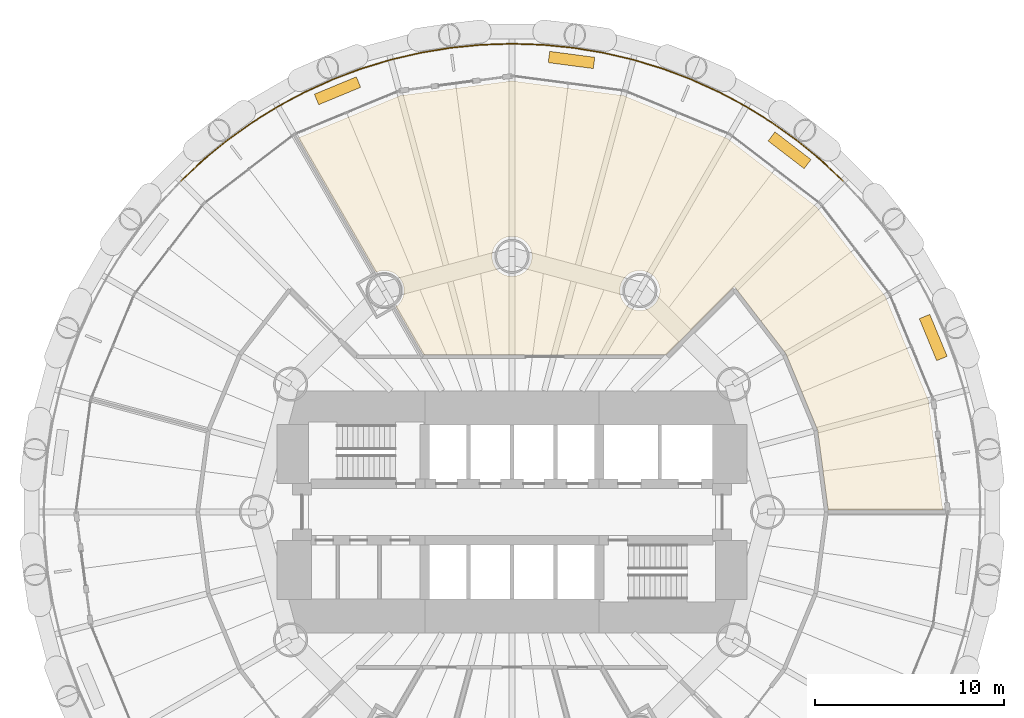
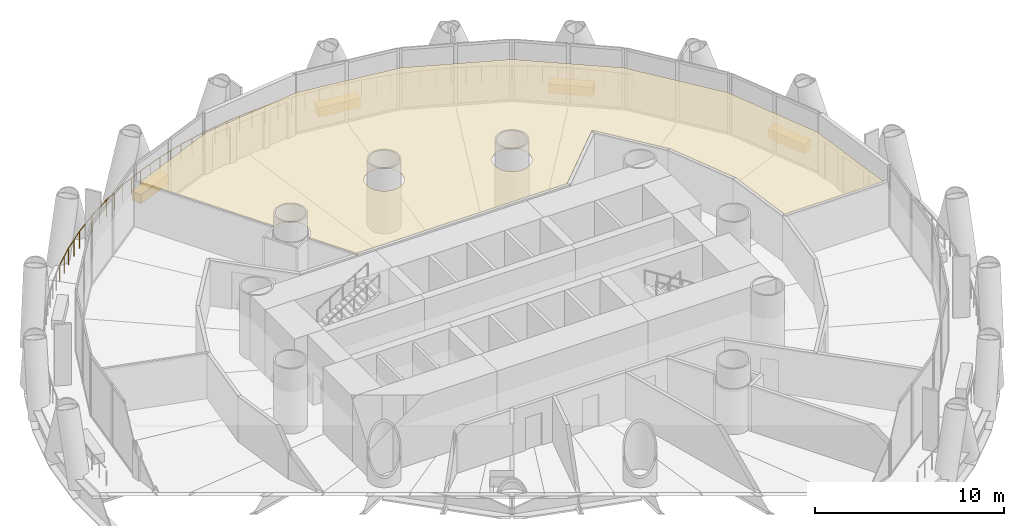
# One storey, part 15 of 15: 5 coverings, 1 railing.
"""IFC4 building model written with IfcOpenShell, lengths in metres."""

import ifcopenshell
import ifcopenshell.guid

model = None  # the IFC model being written
_history = None  # IfcOwnerHistory: only IFC2X3 demands one
_inside = {}  # id of a spatial element -> (the spatial element, [elements in it])
_under = {}  # id of a project, library or spatial element -> (it, [spatial elements below it])
_declared = {}  # id of a project -> (the project, [libraries it declares])
_typed = {}  # id of a type object -> (the type object, [elements of that type])
_made_of = {}  # id of a material, layer set ... -> (it, [elements and type objects made of it])


def new_model(schema):
    """Start an empty IFC model of exactly this schema.

    Asked for "IFC4X3", IfcOpenShell would pick the latest addendum, in which some entities
    have other attributes; the version numbers below select the first issue.
    IFC2X3 requires an IfcOwnerHistory on every rooted entity: one is made here for all.
    """
    global model, _history
    if schema == "IFC4X3":
        model = ifcopenshell.file(schema_version=(4, 3, 0, 0))
    else:
        model = ifcopenshell.file(schema=schema)
    _inside.clear()
    _under.clear()
    _declared.clear()
    _typed.clear()
    _made_of.clear()
    _history = None
    if model.schema == "IFC2X3":
        org = make("IfcOrganization", Name="unknown")
        user = make(
            "IfcPersonAndOrganization",
            ThePerson=make("IfcPerson", FamilyName="unknown"),
            TheOrganization=org,
        )
        app = make(
            "IfcApplication",
            ApplicationDeveloper=org,
            Version="unknown",
            ApplicationFullName="unknown",
            ApplicationIdentifier="unknown",
        )
        _history = make(
            "IfcOwnerHistory",
            OwningUser=user,
            OwningApplication=app,
            ChangeAction="ADDED",
            CreationDate=0,
        )
    return model


def make(cls, **values):
    """One entity of the class cls with the attributes given. An attribute that is None is left unset."""
    return model.create_entity(
        cls, **{name: value for name, value in values.items() if value is not None}
    )


def rooted(cls, **values):
    """An entity with a GlobalId (a new one), such as an element, a storey or a relation."""
    return make(cls, GlobalId=ifcopenshell.guid.new(), OwnerHistory=_history, **values)


def si_unit(unit_type, name, prefix=None):
    """IfcSIUnit, for example si_unit("LENGTHUNIT", "METRE", prefix="MILLI")."""
    return make("IfcSIUnit", UnitType=unit_type, Prefix=prefix, Name=name)


def assignment(units):
    """IfcUnitAssignment: the units of a project."""
    return None if units is None else make("IfcUnitAssignment", Units=units)


def point(xyz):
    """IfcCartesianPoint."""
    return None if xyz is None else make("IfcCartesianPoint", Coordinates=xyz)


def direction(xyz):
    """IfcDirection."""
    return None if xyz is None else make("IfcDirection", DirectionRatios=xyz)


def frame(location, z_axis=None, x_axis=None):
    """IfcAxis2Placement3D, a coordinate frame: its origin and axes. An axis left out is left unset."""
    return make(
        "IfcAxis2Placement3D",
        Location=point(location),
        Axis=direction(z_axis),
        RefDirection=direction(x_axis),
    )


def frame_2d(location, x_axis=None):
    """IfcAxis2Placement2D, a coordinate frame in the plane: its origin and x axis."""
    return make(
        "IfcAxis2Placement2D", Location=point(location), RefDirection=direction(x_axis)
    )


def origin():
    """The frame at (0, 0, 0) with its axes left unset."""
    return frame((0.0, 0.0, 0.0))


def origin_2d():
    """The frame at (0, 0) in the plane with its x axis left unset."""
    return frame_2d((0.0, 0.0))


def place(relative_to, where):
    """IfcLocalPlacement: puts the frame where relative to a parent placement (None: the world)."""
    return make(
        "IfcLocalPlacement", PlacementRelTo=relative_to, RelativePlacement=where
    )


def context(
    kind, dimensions, precision=None, world=None, true_north=None, identifier=None
):
    """IfcGeometricRepresentationContext, for example the 3D "Model" context."""
    return make(
        "IfcGeometricRepresentationContext",
        ContextIdentifier=identifier,
        ContextType=kind,
        CoordinateSpaceDimension=dimensions,
        Precision=precision,
        WorldCoordinateSystem=world,
        TrueNorth=true_north,
    )


def subcontext(parent, identifier, kind, view, scale=None):
    """IfcGeometricRepresentationSubContext, for example "Body" below "Model"."""
    return make(
        "IfcGeometricRepresentationSubContext",
        ContextIdentifier=identifier,
        ContextType=kind,
        ParentContext=parent,
        TargetScale=scale,
        TargetView=view,
    )


def project(units=None, contexts=None):
    """IfcProject with its units and contexts."""
    return rooted(
        "IfcProject",
        Name="project",
        RepresentationContexts=contexts,
        UnitsInContext=assignment(units),
    )


def spatial(cls, under=None, at=None, **own):
    """A site, building, storey or space (cls), placed at a placement, below another one or the project."""
    s = rooted(cls, ObjectPlacement=at, **own)
    if under is not None:
        _under.setdefault(under.id(), (under, []))[1].append(s)
    return s


def polyline(points):
    """IfcPolyline through the points."""
    return make("IfcPolyline", Points=[point(p) for p in points])


def profile(cls, at=None, kind="AREA", **sizes):
    """A parametric profile (cls). Its sizes go by their IFC names, for example OverallWidth=200.0."""
    return make(cls, ProfileType=kind, Position=at, **sizes)


def rectangle(**sizes):
    """IfcRectangleProfileDef."""
    return profile("IfcRectangleProfileDef", **sizes)


def circle(**sizes):
    """IfcCircleProfileDef."""
    return profile("IfcCircleProfileDef", **sizes)


def outline(outer, holes=None, kind="AREA"):
    """IfcArbitraryClosedProfileDef: a profile drawn as a closed curve; with holes, ...WithVoids."""
    if holes is None:
        return make("IfcArbitraryClosedProfileDef", ProfileType=kind, OuterCurve=outer)
    return make(
        "IfcArbitraryProfileDefWithVoids",
        ProfileType=kind,
        OuterCurve=outer,
        InnerCurves=holes,
    )


def extrude(swept, where, along, depth):
    """IfcExtrudedAreaSolid: the profile swept, set in the frame where, extruded along a direction by depth."""
    return make(
        "IfcExtrudedAreaSolid",
        SweptArea=swept,
        Position=where,
        ExtrudedDirection=direction(along),
        Depth=depth,
    )


def shape(context_of_items, identifier, shape_type, items):
    """IfcShapeRepresentation: the items that make up one representation, for example the "Body"."""
    return make(
        "IfcShapeRepresentation",
        ContextOfItems=context_of_items,
        RepresentationIdentifier=identifier,
        RepresentationType=shape_type,
        Items=items,
    )


def material(Name=None, Category=None):
    """IfcMaterial."""
    return make("IfcMaterial", Name=Name, Category=Category)


def layer(
    of_material, thickness, ventilated=None, Name=None, Category=None, Priority=None
):
    """IfcMaterialLayer: one layer of a wall or slab, of a material (None: an air gap)."""
    return make(
        "IfcMaterialLayer",
        Material=of_material,
        LayerThickness=thickness,
        IsVentilated=ventilated,
        Name=Name,
        Category=Category,
        Priority=Priority,
    )


def layer_set(layers, Name=None):
    """IfcMaterialLayerSet."""
    return make("IfcMaterialLayerSet", MaterialLayers=layers, LayerSetName=Name)


def made_of(thing, what):
    """Note that an element or type object is made of a material, layer set ...; save() writes the relation."""
    if what is not None:
        _made_of.setdefault(what.id(), (what, []))[1].append(thing)
    return thing


def type_object(cls, material=None, **own):
    """A type object (cls), such as IfcWallType, which elements share."""
    return made_of(rooted(cls, **own), material)


def element(
    cls,
    number,
    at=None,
    inside=None,
    cuts=None,
    type_object=None,
    material=None,
    context=None,
    identifier="Body",
    shape_type=None,
    held_by="IfcProductDefinitionShape",
    body=None,
    shapes=None,
    **own,
):
    """One element of the class cls, such as IfcWall. Its Tag is "e" and its number.

    at: its placement. inside: the storey or other place that contains it. cuts: it is an
    opening in that element (IfcRelVoidsElement). A single representation is given by context,
    identifier, shape_type and body (its items); several are given by shapes. held_by: the class
    of the entity that holds the representations. save() writes the other relations.
    """
    e = rooted(cls, Tag="e%d" % number, ObjectPlacement=at, **own)
    if body is not None:
        shapes = [shape(context, identifier, shape_type, body)]
    if shapes is not None:
        e.Representation = make(held_by, Representations=shapes)
    if inside is not None:
        _inside.setdefault(inside.id(), (inside, []))[1].append(e)
    if cuts is not None:
        rooted(
            "IfcRelVoidsElement", RelatingBuildingElement=cuts, RelatedOpeningElement=e
        )
    if type_object is not None:
        _typed.setdefault(type_object.id(), (type_object, []))[1].append(e)
    return made_of(e, material)


def aggregate(whole, parts):
    """IfcRelAggregates: a whole, such as a stair, and the parts it consists of."""
    return rooted("IfcRelAggregates", RelatingObject=whole, RelatedObjects=parts)


def save(model, path):
    """Write the relations noted so far, then the file.

    IfcRelAggregates (storeys below a building ...), IfcRelContainedInSpatialStructure (elements
    in a storey), IfcRelDefinesByType, IfcRelAssociatesMaterial and IfcRelDeclares: one each for
    every whole, place, type object, material and project.
    """
    for whole, parts in _under.values():
        aggregate(whole, parts)
    for where, things in _inside.values():
        rooted(
            "IfcRelContainedInSpatialStructure",
            RelatedElements=things,
            RelatingStructure=where,
        )
    for kind, things in _typed.values():
        rooted("IfcRelDefinesByType", RelatedObjects=things, RelatingType=kind)
    for what, things in _made_of.values():
        rooted("IfcRelAssociatesMaterial", RelatedObjects=things, RelatingMaterial=what)
    for by, libraries in _declared.values():
        rooted("IfcRelDeclares", RelatingContext=by, RelatedDefinitions=libraries)
    model.write(path)


model = new_model("IFC4")

# Units and contexts
model_context = context("Model", 3, precision=1e-05, world=origin(), true_north=direction((0.0, 1.0)))
body_context = subcontext(model_context, "Body", "Model", "MODEL_VIEW")
ifc_project = project(units=[si_unit("LENGTHUNIT", "METRE"), si_unit("AREAUNIT", "SQUARE_METRE"), si_unit("VOLUMEUNIT", "CUBIC_METRE"), si_unit("PLANEANGLEUNIT", "RADIAN"), si_unit("MASSUNIT", "GRAM", prefix="KILO")], contexts=[model_context])

# Site, building, storey
site_placement = place(None, origin())
site = spatial("IfcSite", under=ifc_project, at=site_placement, CompositionType="ELEMENT")
building_placement = place(site_placement, origin())
building = spatial("IfcBuilding", under=site, at=building_placement, Name="Qaws Media Tower", CompositionType="ELEMENT")
storey_placement = place(building_placement, frame((0.0, 0.0, 97.39990234375)))
storey = spatial("IfcBuildingStorey", under=building, at=storey_placement, Name="L21", CompositionType="ELEMENT", Elevation=97.39990234375)

# Railing
ifc_material_1 = material(Name="Stainless steel and glass guard", Category="steel")
railing_type = type_object("IfcRailingType", Name="Balcony guard 1100", PredefinedType="GUARDRAIL", material=ifc_material_1)
railing_placement = place(storey_placement, frame((77.483154296875, 67.483154296875, 0.0)))
element("IfcRailing", 1, at=railing_placement, inside=storey, type_object=railing_type, Name="GR1 balcony guard L21-1", PredefinedType="GUARDRAIL", context=body_context, shape_type="SweptSolid", body=[
    extrude(circle(Radius=0.02392578125, at=origin_2d()), frame((0.0, 0.0, 1.076171875), z_axis=(-0.729814753813, 0.683644955453, 0.0), x_axis=(-0.683644955453, -0.729814753813, 0.0)), (0.0, 0.0, 1.0), 1.6181640625),
    extrude(circle(Radius=0.02392578125, at=origin_2d()), frame((-1.180908203125, 1.106201171875, 1.076171875), z_axis=(-0.773035422992, 0.634362857361, 0.0), x_axis=(-0.634362857361, -0.773035422992, 0.0)), (0.0, 0.0, 1.0), 1.617919921875),
    extrude(circle(Radius=0.02392578125, at=origin_2d()), frame((-2.431640625, 2.132568359375, 1.076171875), z_axis=(-0.812814745759, 0.582522264877, 0.0), x_axis=(-0.582522264877, -0.812814745759, 0.0)), (0.0, 0.0, 1.0), 1.61767578125),
    extrude(circle(Radius=0.02392578125, at=origin_2d()), frame((-3.74658203125, 3.074951171875, 1.076171875), z_axis=(-0.84918291713, 0.528098829061, 0.0), x_axis=(-0.528098829061, -0.84918291713, 0.0)), (0.0, 0.0, 1.0), 1.6181640625),
    extrude(circle(Radius=0.02392578125, at=origin_2d()), frame((-5.12060546875, 3.929443359375, 1.076171875), z_axis=(-0.88193491316, 0.471371200806, 0.0), x_axis=(-0.471371200806, -0.88193491316, 0.0)), (0.0, 0.0, 1.0), 1.617919921875),
    extrude(circle(Radius=0.02392578125, at=origin_2d()), frame((-6.547607421875, 4.692138671875, 1.076171875), z_axis=(-0.91085679165, 0.412722552214, 0.0), x_axis=(-0.412722552214, -0.91085679165, 0.0)), (0.0, 0.0, 1.0), 1.617919921875),
    extrude(circle(Radius=0.02392578125, at=origin_2d()), frame((-8.021240234375, 5.35986328125, 1.076171875), z_axis=(-0.935937951322, 0.352164948958, 0.0), x_axis=(-0.352164948958, -0.935937951322, 0.0)), (0.0, 0.0, 1.0), 1.6181640625),
    extrude(circle(Radius=0.02392578125, at=origin_2d()), frame((-9.53564453125, 5.9296875, 1.076171875), z_axis=(-0.956920266949, 0.290350826937, 0.0), x_axis=(-0.290350826937, -0.956920266949, 0.0)), (0.0, 0.0, 1.0), 1.61767578125),
    extrude(circle(Radius=0.02392578125, at=origin_2d()), frame((-11.083740234375, 6.3994140625, 1.076171875), z_axis=(-0.973880145585, 0.227062683053, 0.0), x_axis=(-0.227062683053, -0.973880145585, 0.0)), (0.0, 0.0, 1.0), 1.6181640625),
    extrude(circle(Radius=0.02392578125, at=origin_2d()), frame((-12.65966796875, 6.766845703125, 1.076171875), z_axis=(-0.986653715018, 0.162832572423, 0.0), x_axis=(-0.162832572423, -0.986653715018, 0.0)), (0.0, 0.0, 1.0), 1.61767578125),
    extrude(circle(Radius=0.02392578125, at=origin_2d()), frame((-14.255859375, 7.0302734375, 1.076171875), z_axis=(-0.995178112504, 0.098084271892, 0.0), x_axis=(-0.098084271892, -0.995178112504, 0.0)), (0.0, 0.0, 1.0), 1.617919921875),
    extrude(circle(Radius=0.02392578125, at=origin_2d()), frame((-15.865966796875, 7.18896484375, 1.076171875), z_axis=(-0.999463833798, 0.032742097212, 0.0), x_axis=(-0.032742097212, -0.999463833798, 0.0)), (0.0, 0.0, 1.0), 1.6181640625),
    extrude(circle(Radius=0.02392578125, at=origin_2d()), frame((-17.483154296875, 7.241943359375, 1.076171875), z_axis=(-0.999463833798, -0.032742097212, 0.0), x_axis=(0.032742097212, -0.999463833798, 0.0)), (0.0, 0.0, 1.0), 1.6181640625),
    extrude(circle(Radius=0.02392578125, at=origin_2d()), frame((-19.100341796875, 7.18896484375, 1.076171875), z_axis=(-0.995178112504, -0.098084271892, 0.0), x_axis=(0.098084271892, -0.995178112504, 0.0)), (0.0, 0.0, 1.0), 1.617919921875),
    extrude(circle(Radius=0.02392578125, at=origin_2d()), frame((-20.71044921875, 7.0302734375, 1.076171875), z_axis=(-0.986653715018, -0.162832572423, 0.0), x_axis=(0.162832572423, -0.986653715018, 0.0)), (0.0, 0.0, 1.0), 1.61767578125),
    extrude(circle(Radius=0.02392578125, at=origin_2d()), frame((-22.306640625, 6.766845703125, 1.076171875), z_axis=(-0.973880145585, -0.227062683053, 0.0), x_axis=(0.227062683053, -0.973880145585, 0.0)), (0.0, 0.0, 1.0), 1.6181640625),
    extrude(circle(Radius=0.02392578125, at=origin_2d()), frame((-23.882568359375, 6.3994140625, 1.076171875), z_axis=(-0.956920266949, -0.290350826937, 0.0), x_axis=(0.290350826937, -0.956920266949, 0.0)), (0.0, 0.0, 1.0), 1.61767578125),
    extrude(circle(Radius=0.02392578125, at=origin_2d()), frame((-25.4306640625, 5.9296875, 1.076171875), z_axis=(-0.935937951322, -0.352164948958, 0.0), x_axis=(0.352164948958, -0.935937951322, 0.0)), (0.0, 0.0, 1.0), 1.6181640625),
    extrude(circle(Radius=0.02392578125, at=origin_2d()), frame((-26.945068359375, 5.35986328125, 1.076171875), z_axis=(-0.91085679165, -0.412722552214, 0.0), x_axis=(0.412722552214, -0.91085679165, 0.0)), (0.0, 0.0, 1.0), 1.617919921875),
    extrude(circle(Radius=0.02392578125, at=origin_2d()), frame((-28.418701171875, 4.692138671875, 1.076171875), z_axis=(-0.88193491316, -0.471371200806, 0.0), x_axis=(0.471371200806, -0.88193491316, 0.0)), (0.0, 0.0, 1.0), 1.617919921875),
    extrude(circle(Radius=0.02392578125, at=origin_2d()), frame((-29.845703125, 3.929443359375, 1.076171875), z_axis=(-0.84918291713, -0.528098829061, 0.0), x_axis=(0.528098829061, -0.84918291713, 0.0)), (0.0, 0.0, 1.0), 1.6181640625),
    extrude(circle(Radius=0.02392578125, at=origin_2d()), frame((-31.2197265625, 3.074951171875, 1.076171875), z_axis=(-0.812814745759, -0.582522264877, 0.0), x_axis=(0.582522264877, -0.812814745759, 0.0)), (0.0, 0.0, 1.0), 1.61767578125),
    extrude(circle(Radius=0.02392578125, at=origin_2d()), frame((-32.53466796875, 2.132568359375, 1.076171875), z_axis=(-0.773035422992, -0.634362857361, 0.0), x_axis=(0.634362857361, -0.773035422992, 0.0)), (0.0, 0.0, 1.0), 1.617919921875),
    extrude(circle(Radius=0.02392578125, at=origin_2d()), frame((-33.785400390625, 1.106201171875, 1.076171875), z_axis=(-0.729814753813, -0.683644955453, 0.0), x_axis=(0.683644955453, -0.729814753813, 0.0)), (0.0, 0.0, 1.0), 1.6181640625),
    extrude(circle(Radius=0.02099609375, at=origin_2d()), origin(), (0.0, 0.0, 1.0), 1.052001953125),
    extrude(circle(Radius=0.02099609375, at=origin_2d()), frame((-0.59033203125, 0.55322265625, 0.0)), (0.0, 0.0, 1.0), 1.052001953125),
    extrude(circle(Radius=0.02099609375, at=origin_2d()), frame((-1.180908203125, 1.106201171875, 0.0)), (0.0, 0.0, 1.0), 1.052001953125),
    extrude(circle(Radius=0.02099609375, at=origin_2d()), frame((-1.80615234375, 1.619384765625, 0.0)), (0.0, 0.0, 1.0), 1.052001953125),
    extrude(circle(Radius=0.02099609375, at=origin_2d()), frame((-2.431640625, 2.132568359375, 0.0)), (0.0, 0.0, 1.0), 1.052001953125),
    extrude(circle(Radius=0.02099609375, at=origin_2d()), frame((-3.089111328125, 2.603759765625, 0.0)), (0.0, 0.0, 1.0), 1.052001953125),
    extrude(circle(Radius=0.02099609375, at=origin_2d()), frame((-3.74658203125, 3.074951171875, 0.0)), (0.0, 0.0, 1.0), 1.052001953125),
    extrude(circle(Radius=0.02099609375, at=origin_2d()), frame((-4.43359375, 3.502197265625, 0.0)), (0.0, 0.0, 1.0), 1.052001953125),
    extrude(circle(Radius=0.02099609375, at=origin_2d()), frame((-5.12060546875, 3.929443359375, 0.0)), (0.0, 0.0, 1.0), 1.052001953125),
    extrude(circle(Radius=0.02099609375, at=origin_2d()), frame((-5.833984375, 4.310791015625, 0.0)), (0.0, 0.0, 1.0), 1.052001953125),
    extrude(circle(Radius=0.02099609375, at=origin_2d()), frame((-6.547607421875, 4.692138671875, 0.0)), (0.0, 0.0, 1.0), 1.052001953125),
    extrude(circle(Radius=0.02099609375, at=origin_2d()), frame((-7.284423828125, 5.02587890625, 0.0)), (0.0, 0.0, 1.0), 1.052001953125),
    extrude(circle(Radius=0.02099609375, at=origin_2d()), frame((-8.021240234375, 5.35986328125, 0.0)), (0.0, 0.0, 1.0), 1.052001953125),
    extrude(circle(Radius=0.02099609375, at=origin_2d()), frame((-8.7783203125, 5.644775390625, 0.0)), (0.0, 0.0, 1.0), 1.052001953125),
    extrude(circle(Radius=0.02099609375, at=origin_2d()), frame((-9.53564453125, 5.9296875, 0.0)), (0.0, 0.0, 1.0), 1.052001953125),
    extrude(circle(Radius=0.02099609375, at=origin_2d()), frame((-10.3095703125, 6.16455078125, 0.0)), (0.0, 0.0, 1.0), 1.052001953125),
    extrude(circle(Radius=0.02099609375, at=origin_2d()), frame((-11.083740234375, 6.3994140625, 0.0)), (0.0, 0.0, 1.0), 1.052001953125),
    extrude(circle(Radius=0.02099609375, at=origin_2d()), frame((-11.87158203125, 6.5830078125, 0.0)), (0.0, 0.0, 1.0), 1.052001953125),
    extrude(circle(Radius=0.02099609375, at=origin_2d()), frame((-12.65966796875, 6.766845703125, 0.0)), (0.0, 0.0, 1.0), 1.052001953125),
    extrude(circle(Radius=0.02099609375, at=origin_2d()), frame((-13.457763671875, 6.8984375, 0.0)), (0.0, 0.0, 1.0), 1.052001953125),
    extrude(circle(Radius=0.02099609375, at=origin_2d()), frame((-14.255859375, 7.0302734375, 0.0)), (0.0, 0.0, 1.0), 1.052001953125),
    extrude(circle(Radius=0.02099609375, at=origin_2d()), frame((-15.06103515625, 7.109619140625, 0.0)), (0.0, 0.0, 1.0), 1.052001953125),
    extrude(circle(Radius=0.02099609375, at=origin_2d()), frame((-15.865966796875, 7.18896484375, 0.0)), (0.0, 0.0, 1.0), 1.052001953125),
    extrude(circle(Radius=0.02099609375, at=origin_2d()), frame((-16.674560546875, 7.21533203125, 0.0)), (0.0, 0.0, 1.0), 1.052001953125),
    extrude(circle(Radius=0.02099609375, at=origin_2d()), frame((-17.483154296875, 7.241943359375, 0.0)), (0.0, 0.0, 1.0), 1.052001953125),
    extrude(circle(Radius=0.02099609375, at=origin_2d()), frame((-18.291748046875, 7.21533203125, 0.0)), (0.0, 0.0, 1.0), 1.052001953125),
    extrude(circle(Radius=0.02099609375, at=origin_2d()), frame((-19.100341796875, 7.18896484375, 0.0)), (0.0, 0.0, 1.0), 1.052001953125),
    extrude(circle(Radius=0.02099609375, at=origin_2d()), frame((-19.9052734375, 7.109619140625, 0.0)), (0.0, 0.0, 1.0), 1.052001953125),
    extrude(circle(Radius=0.02099609375, at=origin_2d()), frame((-20.71044921875, 7.0302734375, 0.0)), (0.0, 0.0, 1.0), 1.052001953125),
    extrude(circle(Radius=0.02099609375, at=origin_2d()), frame((-21.508544921875, 6.8984375, 0.0)), (0.0, 0.0, 1.0), 1.052001953125),
    extrude(circle(Radius=0.02099609375, at=origin_2d()), frame((-22.306640625, 6.766845703125, 0.0)), (0.0, 0.0, 1.0), 1.052001953125),
    extrude(circle(Radius=0.02099609375, at=origin_2d()), frame((-23.0947265625, 6.5830078125, 0.0)), (0.0, 0.0, 1.0), 1.052001953125),
    extrude(circle(Radius=0.02099609375, at=origin_2d()), frame((-23.882568359375, 6.3994140625, 0.0)), (0.0, 0.0, 1.0), 1.052001953125),
    extrude(circle(Radius=0.02099609375, at=origin_2d()), frame((-24.65673828125, 6.16455078125, 0.0)), (0.0, 0.0, 1.0), 1.052001953125),
    extrude(circle(Radius=0.02099609375, at=origin_2d()), frame((-25.4306640625, 5.9296875, 0.0)), (0.0, 0.0, 1.0), 1.052001953125),
    extrude(circle(Radius=0.02099609375, at=origin_2d()), frame((-26.18798828125, 5.644775390625, 0.0)), (0.0, 0.0, 1.0), 1.052001953125),
    extrude(circle(Radius=0.02099609375, at=origin_2d()), frame((-26.945068359375, 5.35986328125, 0.0)), (0.0, 0.0, 1.0), 1.052001953125),
    extrude(circle(Radius=0.02099609375, at=origin_2d()), frame((-27.681884765625, 5.02587890625, 0.0)), (0.0, 0.0, 1.0), 1.052001953125),
    extrude(circle(Radius=0.02099609375, at=origin_2d()), frame((-28.418701171875, 4.692138671875, 0.0)), (0.0, 0.0, 1.0), 1.052001953125),
    extrude(circle(Radius=0.02099609375, at=origin_2d()), frame((-29.13232421875, 4.310791015625, 0.0)), (0.0, 0.0, 1.0), 1.052001953125),
    extrude(circle(Radius=0.02099609375, at=origin_2d()), frame((-29.845703125, 3.929443359375, 0.0)), (0.0, 0.0, 1.0), 1.052001953125),
    extrude(circle(Radius=0.02099609375, at=origin_2d()), frame((-30.53271484375, 3.502197265625, 0.0)), (0.0, 0.0, 1.0), 1.052001953125),
    extrude(circle(Radius=0.02099609375, at=origin_2d()), frame((-31.2197265625, 3.074951171875, 0.0)), (0.0, 0.0, 1.0), 1.052001953125),
    extrude(circle(Radius=0.02099609375, at=origin_2d()), frame((-31.877197265625, 2.603759765625, 0.0)), (0.0, 0.0, 1.0), 1.052001953125),
    extrude(circle(Radius=0.02099609375, at=origin_2d()), frame((-32.53466796875, 2.132568359375, 0.0)), (0.0, 0.0, 1.0), 1.052001953125),
    extrude(circle(Radius=0.02099609375, at=origin_2d()), frame((-33.16015625, 1.619384765625, 0.0)), (0.0, 0.0, 1.0), 1.052001953125),
    extrude(circle(Radius=0.02099609375, at=origin_2d()), frame((-33.785400390625, 1.106201171875, 0.0)), (0.0, 0.0, 1.0), 1.052001953125),
    extrude(circle(Radius=0.02099609375, at=origin_2d()), frame((-34.3759765625, 0.55322265625, 0.0)), (0.0, 0.0, 1.0), 1.052001953125),
    extrude(circle(Radius=0.02099609375, at=origin_2d()), frame((-34.96630859375, 0.0, 0.0)), (0.0, 0.0, 1.0), 1.052001953125),
])

# Coverings
ifc_material_2 = material(Name="600 x 600 mineral fibre tiles in exposed grid, suspended", Category="mineral fibre")
ifc_layer_1 = layer(ifc_material_2, 0.02001953125)
ifc_layer_set_1 = layer_set([ifc_layer_1], Name="Mineral fibre tile ceiling 20")
covering_type_1 = type_object("IfcCoveringType", Name="Mineral fibre tile ceiling 20", PredefinedType="CEILING", material=ifc_layer_set_1)
covering_placement = place(storey_placement, frame((0.0, 0.0, 2.85009765625)))
element("IfcCovering", 2, at=covering_placement, inside=storey, type_object=covering_type_1, Name="CL1 ceiling L21-02 Broadcast engineering office", PredefinedType="CEILING", context=body_context, shape_type="SweptSolid", body=[
    extrude(outline(polyline([(54.109130859375, 71.984619140625), (60.0, 72.76025390625), (65.890869140625, 71.984619140625), (71.380126953125, 69.7109375), (76.093994140625, 66.093994140625), (79.7109375, 61.380126953125), (81.984619140625, 55.890869140625), (82.745361328125, 50.112548828125), (76.69873046875, 50.112548828125), (76.14404296875, 54.32568359375), (74.474365234375, 58.356689453125), (71.7490234375, 61.908203125), (68.1533203125, 58.3125), (55.330810546875, 58.3125), (53.873779296875, 60.8359375), (53.895263671875, 60.850341796875), (53.99951171875, 60.94189453125), (54.091064453125, 61.046142578125), (54.16796875, 61.161376953125), (54.229248046875, 61.28564453125), (54.27392578125, 61.4169921875), (54.30078125, 61.552978515625), (54.31005859375, 61.69140625), (54.30078125, 61.82958984375), (54.27392578125, 61.9658203125), (54.229248046875, 62.096923828125), (54.16796875, 62.22119140625), (54.091064453125, 62.336669921875), (53.99951171875, 62.44091796875), (53.895263671875, 62.5322265625), (53.780029296875, 62.609375), (53.655517578125, 62.670654296875), (53.5244140625, 62.715087890625), (53.388427734375, 62.7421875), (53.25, 62.751220703125), (53.111572265625, 62.7421875), (52.9755859375, 62.715087890625), (52.844482421875, 62.670654296875), (52.821044921875, 62.6591796875), (48.724609375, 69.75439453125), (54.109130859375, 71.984619140625)]), holes=[polyline([(60.979248046875, 63.094482421875), (61.02392578125, 63.2255859375), (61.05078125, 63.361572265625), (61.06005859375, 63.5), (61.05078125, 63.638427734375), (61.02392578125, 63.7744140625), (60.979248046875, 63.905517578125), (60.91796875, 64.030029296875), (60.841064453125, 64.145263671875), (60.74951171875, 64.24951171875), (60.645263671875, 64.341064453125), (60.530029296875, 64.41796875), (60.405517578125, 64.479248046875), (60.2744140625, 64.52392578125), (60.138427734375, 64.55078125), (60.0, 64.56005859375), (59.861572265625, 64.55078125), (59.7255859375, 64.52392578125), (59.594482421875, 64.479248046875), (59.469970703125, 64.41796875), (59.354736328125, 64.341064453125), (59.25048828125, 64.24951171875), (59.158935546875, 64.145263671875), (59.08203125, 64.030029296875), (59.020751953125, 63.905517578125), (58.97607421875, 63.7744140625), (58.94921875, 63.638427734375), (58.93994140625, 63.5), (58.94921875, 63.361572265625), (58.97607421875, 63.2255859375), (59.020751953125, 63.094482421875), (59.08203125, 62.969970703125), (59.158935546875, 62.854736328125), (59.25048828125, 62.75048828125), (59.354736328125, 62.658935546875), (59.469970703125, 62.58203125), (59.594482421875, 62.520751953125), (59.7255859375, 62.47607421875), (59.861572265625, 62.44921875), (60.0, 62.43994140625), (60.138427734375, 62.44921875), (60.2744140625, 62.47607421875), (60.405517578125, 62.520751953125), (60.530029296875, 62.58203125), (60.645263671875, 62.658935546875), (60.74951171875, 62.75048828125), (60.841064453125, 62.854736328125), (60.91796875, 62.969970703125), (60.979248046875, 63.094482421875)]), polyline([(67.729248046875, 61.28564453125), (67.77392578125, 61.4169921875), (67.80078125, 61.552978515625), (67.81005859375, 61.69140625), (67.80078125, 61.82958984375), (67.77392578125, 61.9658203125), (67.729248046875, 62.096923828125), (67.66796875, 62.22119140625), (67.591064453125, 62.336669921875), (67.49951171875, 62.44091796875), (67.395263671875, 62.5322265625), (67.280029296875, 62.609375), (67.155517578125, 62.670654296875), (67.0244140625, 62.715087890625), (66.888427734375, 62.7421875), (66.75, 62.751220703125), (66.611572265625, 62.7421875), (66.4755859375, 62.715087890625), (66.344482421875, 62.670654296875), (66.219970703125, 62.609375), (66.104736328125, 62.5322265625), (66.00048828125, 62.44091796875), (65.908935546875, 62.336669921875), (65.83203125, 62.22119140625), (65.770751953125, 62.096923828125), (65.72607421875, 61.9658203125), (65.69921875, 61.82958984375), (65.68994140625, 61.69140625), (65.69921875, 61.552978515625), (65.72607421875, 61.4169921875), (65.770751953125, 61.28564453125), (65.83203125, 61.161376953125), (65.908935546875, 61.046142578125), (66.00048828125, 60.94189453125), (66.104736328125, 60.850341796875), (66.219970703125, 60.7734375), (66.344482421875, 60.7119140625), (66.4755859375, 60.66748046875), (66.611572265625, 60.640380859375), (66.75, 60.63134765625), (66.888427734375, 60.640380859375), (67.0244140625, 60.66748046875), (67.155517578125, 60.7119140625), (67.280029296875, 60.7734375), (67.395263671875, 60.850341796875), (67.49951171875, 60.94189453125), (67.591064453125, 61.046142578125), (67.66796875, 61.161376953125), (67.729248046875, 61.28564453125)])]), origin(), (0.0, 0.0, 1.0), 0.02001953125),
])
ifc_material_3 = material(Name="Precast concrete planter with trailing planting", Category="concrete")
ifc_layer_2 = layer(ifc_material_3, 0.60009765625)
ifc_layer_set_2 = layer_set([ifc_layer_2], Name="Planter 2400x600")
covering_type_2 = type_object("IfcCoveringType", Name="Planter 2400x600", PredefinedType="USERDEFINED", material=ifc_layer_set_2)
for number, where, z_axis, x_axis, name in (
    (3, (82.242431640625, 59.213134765625, 0.0), (0.0, 0.0, 1.0), (-0.382683432365, 0.923879532511, 0.0), "PL1 balcony planter L21-01"),
    (4, (74.656005859375, 69.10009765625, 0.0), (0.0, 0.0, 1.0), (-0.793353340291, 0.608761429009, 0.0), "PL1 balcony planter L21-02"),
    (5, (63.142333984375, 73.869140625, 0.0), (0.0, 0.0, 1.0), (-0.991444861374, 0.13052619222, 0.0), "PL1 balcony planter L21-03"),
    (6, (50.786865234375, 72.242431640625, 0.0), (0.0, 0.0, 1.0), (-0.923879532511, -0.382683432365, 0.0), "PL1 balcony planter L21-04"),
):
    element("IfcCovering", number, at=place(storey_placement, frame(where, z_axis=z_axis, x_axis=x_axis)), inside=storey, type_object=covering_type_2, Name=name, ObjectType="PLANTER", PredefinedType="USERDEFINED", context=body_context, shape_type="SweptSolid", body=[
        extrude(rectangle(XDim=2.39990234375, YDim=0.60009765625, at=origin_2d()), origin(), (0.0, 0.0, 1.0), 0.60009765625),
    ])

save(model, "model.ifc")
